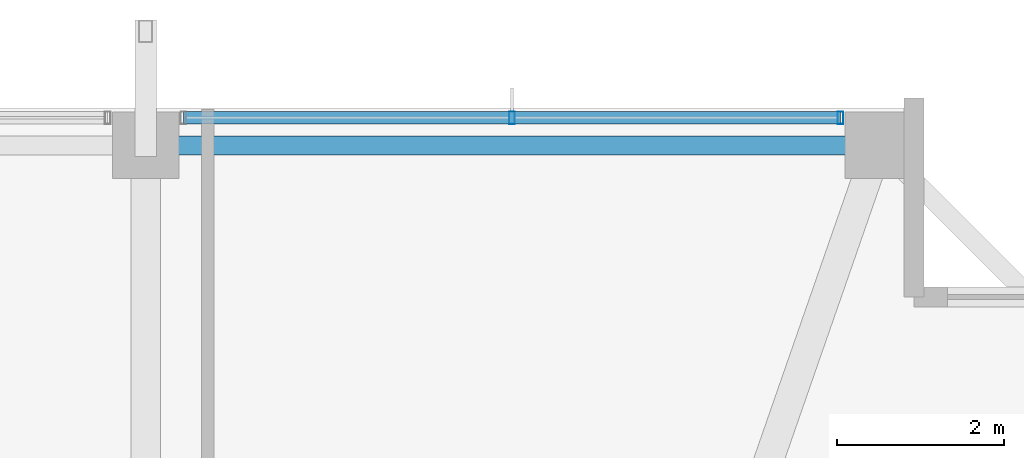
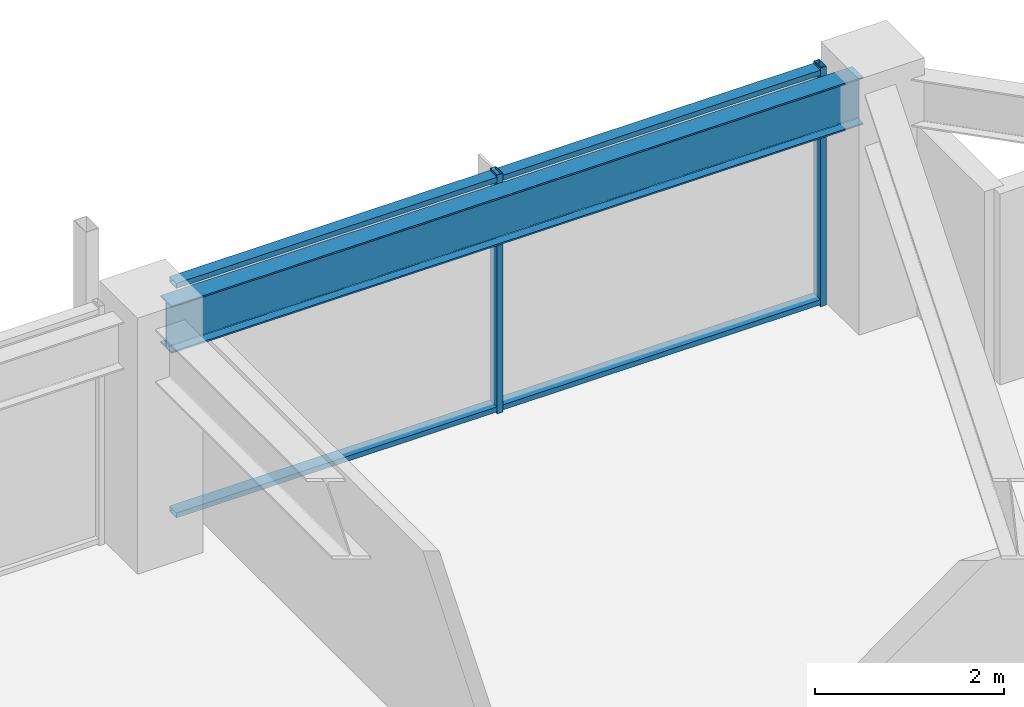
# One storey, part 19 of 33: 4 members, 1 beam, 1 element without a shape of its own.
"""IFC4 building model written with IfcOpenShell, lengths in metres."""

from ifc_helpers import new_model, si_unit, direction, frame, origin, origin_2d, place, context, subcontext, project, spatial, hollow_rectangle, i_section, extrude, material, material_profile, profile_set, type_object, element, aggregate, save


model = new_model("IFC4")

# Units and contexts
model_context = context("Model", 3, precision=1e-05, world=origin(), true_north=direction((0.0, 1.0)))
body_context = subcontext(model_context, "Body", "Model", "MODEL_VIEW")
ifc_project = project(units=[si_unit("LENGTHUNIT", "METRE"), si_unit("AREAUNIT", "SQUARE_METRE"), si_unit("VOLUMEUNIT", "CUBIC_METRE"), si_unit("PLANEANGLEUNIT", "RADIAN"), si_unit("MASSUNIT", "GRAM", prefix="KILO")], contexts=[model_context])

# Site, building, storey
site_placement = place(None, origin())
site = spatial("IfcSite", under=ifc_project, at=site_placement, CompositionType="ELEMENT")
building_placement = place(site_placement, origin())
building = spatial("IfcBuilding", under=site, at=building_placement, Name="Kolvaren Belvedere", CompositionType="ELEMENT")
storey_placement = place(building_placement, frame((0.0, 0.0, 209.699951171875)))
storey = spatial("IfcBuildingStorey", under=building, at=storey_placement, Name="L61", CompositionType="ELEMENT", Elevation=209.699951171875)

# Beam
ifc_material_1 = material(Name="Structural steel ASTM A992 Grade 50", Category="steel")
ifc_material_profile_1 = material_profile(ifc_material_1, i_section(OverallWidth=0.22900390625, OverallDepth=0.612060546875, WebThickness=0.011962890625, FlangeThickness=0.01953125, FilletRadius=0.01806640625, at=origin_2d()), Name="W24X84")
ifc_profile_set_1 = profile_set([ifc_material_profile_1], Name="Structural steel ASTM A992 Grade 50")
beam_type = type_object("IfcBeamType", Name="BM-SPAN-W24X84", PredefinedType="SPANDREL", material=ifc_profile_set_1)
beam_placement = place(storey_placement, frame((13.219970703125, 19.949951171875, 2.774169921875), z_axis=(-1.0, 0.0, 0.0), x_axis=(0.0, -1.0, 0.0)))
element("IfcBeam", 1, at=beam_placement, inside=storey, type_object=beam_type, Name="L61 Perimeter Spandrel N4-N3", PredefinedType="SPANDREL", context=body_context, shape_type="SweptSolid", body=[
    extrude(i_section(OverallWidth=0.22900390625, OverallDepth=0.612060546875, WebThickness=0.011962890625, FlangeThickness=0.01953125, FilletRadius=0.01806640625, at=origin_2d()), origin(), (0.0, 0.0, 1.0), 8.43994140625),
])

# Curtain wall, members
ifc_material_2 = material(Name="Anodised pale-metal aluminium AA 6063-T6", Category="aluminium")
curtain_wall_type = type_object("IfcCurtainWallType", Name="CW-Z5-HIGH", PredefinedType="NOTDEFINED", material=ifc_material_2)
curtain_wall_placement = place(storey_placement, origin())
curtain_wall = element("IfcCurtainWall", 2, at=curtain_wall_placement, inside=storey, type_object=curtain_wall_type, Name="L61 Unitised Curtain Wall FCW-L61-N-B3", PredefinedType="NOTDEFINED")
ifc_material_3 = material(Name="Anodised pale-metal aluminium AA 6063-T6", Category="aluminium")
ifc_material_profile_2 = material_profile(ifc_material_3, hollow_rectangle(XDim=0.070068359375, YDim=0.14990234375, WallThickness=0.004150390625, at=origin_2d()), Name="ALU-MUL-150X70")
ifc_profile_set_2 = profile_set([ifc_material_profile_2], Name="Anodised pale-metal aluminium AA 6063-T6")
member_type_1 = type_object("IfcMemberType", Name="CW-MUL-150", PredefinedType="MULLION", material=ifc_profile_set_2)
member_1_placement = place(storey_placement, frame((9.0, 20.280029296875, 0.0), z_axis=(0.0, 0.0, 1.0), x_axis=(1.0, 0.0, 0.0)))
member_1 = element("IfcMember", 3, at=member_1_placement, type_object=member_type_1, Name="FCW-L61-N-B3 Unitised Mullion 2", PredefinedType="MULLION", context=body_context, shape_type="SweptSolid", body=[
    extrude(hollow_rectangle(XDim=0.070068359375, YDim=0.14990234375, WallThickness=0.004150390625, at=origin_2d()), origin(), (0.0, 0.0, 1.0), 3.080078125),
])
member_2_placement = place(storey_placement, frame((12.945068359375, 20.280029296875, 0.0), z_axis=(0.0, 0.0, 1.0), x_axis=(1.0, 0.0, 0.0)))
member_2 = element("IfcMember", 4, at=member_2_placement, type_object=member_type_1, Name="FCW-L61-N-B3 Unitised Mullion 3", PredefinedType="MULLION", context=body_context, shape_type="SweptSolid", body=[
    extrude(hollow_rectangle(XDim=0.070068359375, YDim=0.14990234375, WallThickness=0.004150390625, at=origin_2d()), origin(), (0.0, 0.0, 1.0), 3.080078125),
])
ifc_material_4 = material(Name="Anodised pale-metal aluminium AA 6063-T6", Category="aluminium")
ifc_material_profile_3 = material_profile(ifc_material_4, hollow_rectangle(XDim=0.06494140625, YDim=0.14990234375, WallThickness=0.00390625, at=origin_2d()), Name="ALU-TRN-150X65")
ifc_profile_set_3 = profile_set([ifc_material_profile_3], Name="Anodised pale-metal aluminium AA 6063-T6")
member_type_2 = type_object("IfcMemberType", Name="CW-TRN-150", PredefinedType="USERDEFINED", material=ifc_profile_set_3)
member_3_placement = place(storey_placement, frame((5.054931640625, 20.280029296875, 0.06005859375), z_axis=(1.0, 0.0, 0.0), x_axis=(0.0, 0.0, 1.0)))
member_3 = element("IfcMember", 5, at=member_3_placement, type_object=member_type_2, Name="FCW-L61-N-B3 Sill Transom", ObjectType="TRANSOM", PredefinedType="USERDEFINED", context=body_context, shape_type="SweptSolid", body=[
    extrude(hollow_rectangle(XDim=0.06494140625, YDim=0.14990234375, WallThickness=0.00390625, at=origin_2d()), origin(), (0.0, 0.0, 1.0), 7.89013671875),
])
member_4_placement = place(storey_placement, frame((5.054931640625, 20.280029296875, 3.02001953125), z_axis=(1.0, 0.0, 0.0), x_axis=(0.0, 0.0, 1.0)))
member_4 = element("IfcMember", 6, at=member_4_placement, type_object=member_type_2, Name="FCW-L61-N-B3 Head Transom", ObjectType="TRANSOM", PredefinedType="USERDEFINED", context=body_context, shape_type="SweptSolid", body=[
    extrude(hollow_rectangle(XDim=0.06494140625, YDim=0.14990234375, WallThickness=0.00390625, at=origin_2d()), origin(), (0.0, 0.0, 1.0), 7.89013671875),
])
aggregate(curtain_wall, [member_1, member_2, member_3, member_4])

save(model, "model.ifc")
